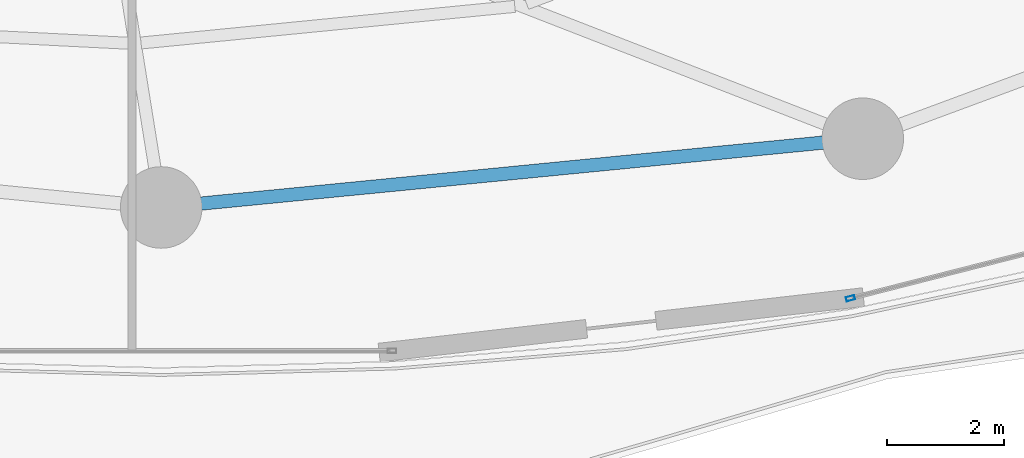
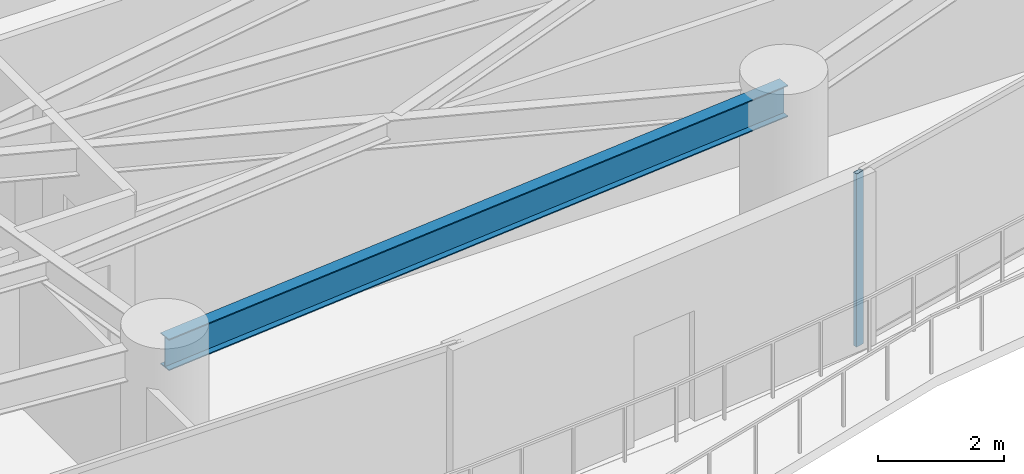
# One storey, part 11 of 32: 1 beam, 1 member, 1 element without a shape of its own.
"""IFC4 building model written with IfcOpenShell, lengths in metres."""

from ifc_helpers import new_model, si_unit, direction, frame, origin, origin_2d, place, context, subcontext, project, spatial, hollow_rectangle, i_section, extrude, material, layer, layer_set, material_profile, profile_set, type_object, element, aggregate, save


model = new_model("IFC4")

# Units and contexts
model_context = context("Model", 3, precision=1e-05, world=origin(), true_north=direction((0.0, 1.0)))
body_context = subcontext(model_context, "Body", "Model", "MODEL_VIEW")
ifc_project = project(units=[si_unit("LENGTHUNIT", "METRE"), si_unit("AREAUNIT", "SQUARE_METRE"), si_unit("VOLUMEUNIT", "CUBIC_METRE"), si_unit("PLANEANGLEUNIT", "RADIAN"), si_unit("MASSUNIT", "GRAM", prefix="KILO")], contexts=[model_context])

# Site, building, storey
site_placement = place(None, origin())
site = spatial("IfcSite", under=ifc_project, at=site_placement, CompositionType="ELEMENT")
building_placement = place(site_placement, origin())
building = spatial("IfcBuilding", under=site, at=building_placement, Name="Kazevale Care Tower and Concert Hall", CompositionType="ELEMENT")
storey_placement = place(building_placement, frame((0.0, 0.0, 34.800048828125)))
storey = spatial("IfcBuildingStorey", under=building, at=storey_placement, Name="L08", CompositionType="ELEMENT", Elevation=34.800048828125)

# Curtain wall, member
ifc_material_1 = material(Name="Aluminium 6063-T6 and Low-E Glass", Category="aluminium")
ifc_layer = layer(ifc_material_1, 0.179931640625)
ifc_layer_set = layer_set([ifc_layer], Name="Aluminium 6063-T6 and Low-E Glass")
curtain_wall_type = type_object("IfcCurtainWallType", Name="Sheltered Concave Balcony Curtain Wall CW-5", PredefinedType="NOTDEFINED", material=ifc_layer_set)
curtain_wall_placement = place(storey_placement, origin())
curtain_wall = element("IfcCurtainWall", 1, at=curtain_wall_placement, inside=storey, type_object=curtain_wall_type, Name="cw:L08:f04", PredefinedType="NOTDEFINED")
ifc_material_2 = material(Name="Aluminium 6063-T6", Category="aluminium")
ifc_material_profile_1 = material_profile(ifc_material_2, hollow_rectangle(XDim=0.074951171875, YDim=0.14990234375, WallThickness=0.00390625, at=origin_2d()), Name="ALU75x150x4")
ifc_profile_set_1 = profile_set([ifc_material_profile_1], Name="Aluminium 6063-T6")
member_type = type_object("IfcMemberType", Name="CW-5 Mullion ALU75x150x4", PredefinedType="MULLION", material=ifc_profile_set_1)
member_placement = place(storey_placement, frame((56.828369140625, 15.791259765625, 0.0), z_axis=(0.0, 0.0, 1.0), x_axis=(0.247221864936, -0.968958899798, 0.0)))
member = element("IfcMember", 2, at=member_placement, type_object=member_type, Name="CW-5 mullion 2", PredefinedType="MULLION", context=body_context, shape_type="SweptSolid", body=[
    extrude(hollow_rectangle(XDim=0.074951171875, YDim=0.14990234375, WallThickness=0.00390625, at=origin_2d()), origin(), (0.0, 0.0, 1.0), 3.35986328125),
])
aggregate(curtain_wall, [member])

# Beam
ifc_material_3 = material(Name="Steel ASTM A572 Gr 50", Category="steel")
ifc_material_profile_2 = material_profile(ifc_material_3, i_section(OverallWidth=0.22900390625, OverallDepth=0.612060546875, WebThickness=0.011962890625, FlangeThickness=0.01953125, at=origin_2d()), Name="W610x125")
ifc_profile_set_2 = profile_set([ifc_material_profile_2], Name="Steel ASTM A572 Gr 50")
beam_type = type_object("IfcBeamType", Name="Ring Spandrel Beam W610x125", PredefinedType="SPANDREL", material=ifc_profile_set_2)
beam_placement = place(storey_placement, frame((45.0, 17.35009765625, 3.053955078125), z_axis=(0.995232251602, 0.09753340644, 0.0), x_axis=(-0.09753340644, 0.995232251602, 0.0)))
element("IfcBeam", 3, at=beam_placement, inside=storey, type_object=beam_type, Name="beam:L08:ring:13", PredefinedType="SPANDREL", context=body_context, shape_type="SweptSolid", body=[
    extrude(i_section(OverallWidth=0.22900390625, OverallDepth=0.612060546875, WebThickness=0.011962890625, FlangeThickness=0.01953125, at=origin_2d()), origin(), (0.0, 0.0, 1.0), 12.09765625),
])

save(model, "model.ifc")
